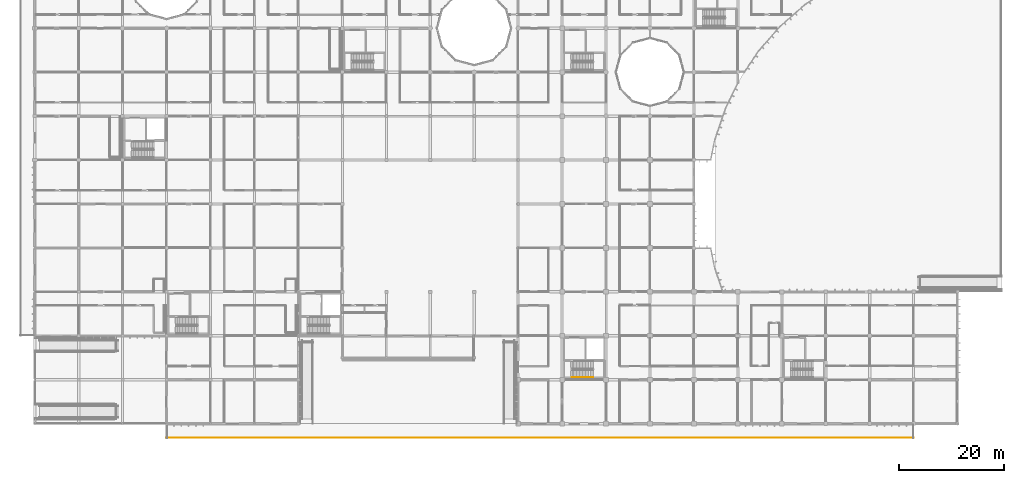
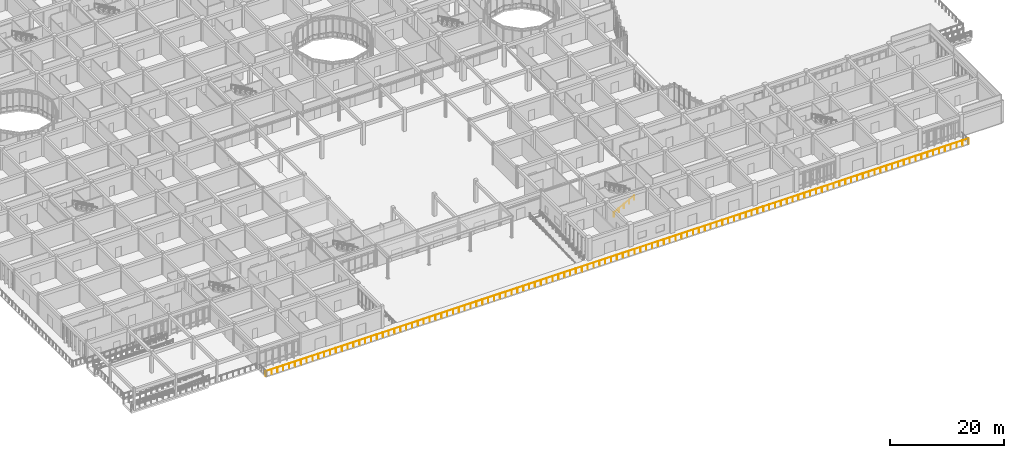
# One storey, part 120 of 138: 2 railings.
"""IFC4 building model written with IfcOpenShell, lengths in metres."""

from ifc_helpers import new_model, si_unit, direction, frame, origin, origin_2d, place, context, subcontext, project, spatial, circle, extrude, material, type_object, element, save


model = new_model("IFC4")

# Units and contexts
model_context = context("Model", 3, precision=1e-05, world=origin(), true_north=direction((0.0, 1.0)))
body_context = subcontext(model_context, "Body", "Model", "MODEL_VIEW")
ifc_project = project(units=[si_unit("LENGTHUNIT", "METRE"), si_unit("AREAUNIT", "SQUARE_METRE"), si_unit("VOLUMEUNIT", "CUBIC_METRE"), si_unit("PLANEANGLEUNIT", "RADIAN"), si_unit("MASSUNIT", "GRAM", prefix="KILO")], contexts=[model_context])

# Site, building, storey
site_placement = place(None, origin())
site = spatial("IfcSite", under=ifc_project, at=site_placement, CompositionType="ELEMENT")
building_placement = place(site_placement, origin())
building = spatial("IfcBuilding", under=site, at=building_placement, Name="Bramfleet General Hospital", CompositionType="ELEMENT")
storey_placement = place(building_placement, origin())
storey = spatial("IfcBuildingStorey", under=building, at=storey_placement, Name="L00", CompositionType="ELEMENT", Elevation=0.0)

# Railings
ifc_material_1 = material(Name="Stainless steel 1.4401 safety balustrade", Category="steel")
railing_type_1 = type_object("IfcRailingType", Name="RAIL-EXT-GUARD", PredefinedType="GUARDRAIL", material=ifc_material_1)
railing_1_placement = place(storey_placement, frame((168.0, -2.699951171875, 0.0)))
element("IfcRailing", 1, at=railing_1_placement, inside=storey, type_object=railing_type_1, Name="L00 Flood-Plinth Guard 220", PredefinedType="GUARDRAIL", context=body_context, shape_type="SweptSolid", body=[
    extrude(circle(Radius=0.02392578125, at=origin_2d()), frame((0.0, 0.0, 1.076171875), z_axis=(-1.0, 0.0, 0.0), x_axis=(0.0, -1.0, 0.0)), (0.0, 0.0, 1.0), 142.800048828125),
    extrude(circle(Radius=0.02099609375, at=origin_2d()), origin(), (0.0, 0.0, 1.0), 1.052001953125),
    extrude(circle(Radius=0.02099609375, at=origin_2d()), frame((-1.18994140625, 0.0, 0.0)), (0.0, 0.0, 1.0), 1.052001953125),
    extrude(circle(Radius=0.02099609375, at=origin_2d()), frame((-2.3798828125, 0.0, 0.0)), (0.0, 0.0, 1.0), 1.052001953125),
    extrude(circle(Radius=0.02099609375, at=origin_2d()), frame((-3.570068359375, 0.0, 0.0)), (0.0, 0.0, 1.0), 1.052001953125),
    extrude(circle(Radius=0.02099609375, at=origin_2d()), frame((-4.760009765625, 0.0, 0.0)), (0.0, 0.0, 1.0), 1.052001953125),
    extrude(circle(Radius=0.02099609375, at=origin_2d()), frame((-5.949951171875, 0.0, 0.0)), (0.0, 0.0, 1.0), 1.052001953125),
    extrude(circle(Radius=0.02099609375, at=origin_2d()), frame((-7.139892578125, 0.0, 0.0)), (0.0, 0.0, 1.0), 1.052001953125),
    extrude(circle(Radius=0.02099609375, at=origin_2d()), frame((-8.330078125, 0.0, 0.0)), (0.0, 0.0, 1.0), 1.052001953125),
    extrude(circle(Radius=0.02099609375, at=origin_2d()), frame((-9.52001953125, 0.0, 0.0)), (0.0, 0.0, 1.0), 1.052001953125),
    extrude(circle(Radius=0.02099609375, at=origin_2d()), frame((-10.7099609375, 0.0, 0.0)), (0.0, 0.0, 1.0), 1.052001953125),
    extrude(circle(Radius=0.02099609375, at=origin_2d()), frame((-11.89990234375, 0.0, 0.0)), (0.0, 0.0, 1.0), 1.052001953125),
    extrude(circle(Radius=0.02099609375, at=origin_2d()), frame((-13.090087890625, 0.0, 0.0)), (0.0, 0.0, 1.0), 1.052001953125),
    extrude(circle(Radius=0.02099609375, at=origin_2d()), frame((-14.280029296875, 0.0, 0.0)), (0.0, 0.0, 1.0), 1.052001953125),
    extrude(circle(Radius=0.02099609375, at=origin_2d()), frame((-15.469970703125, 0.0, 0.0)), (0.0, 0.0, 1.0), 1.052001953125),
    extrude(circle(Radius=0.02099609375, at=origin_2d()), frame((-16.659912109375, 0.0, 0.0)), (0.0, 0.0, 1.0), 1.052001953125),
    extrude(circle(Radius=0.02099609375, at=origin_2d()), frame((-17.85009765625, 0.0, 0.0)), (0.0, 0.0, 1.0), 1.052001953125),
    extrude(circle(Radius=0.02099609375, at=origin_2d()), frame((-19.0400390625, 0.0, 0.0)), (0.0, 0.0, 1.0), 1.052001953125),
    extrude(circle(Radius=0.02099609375, at=origin_2d()), frame((-20.22998046875, 0.0, 0.0)), (0.0, 0.0, 1.0), 1.052001953125),
    extrude(circle(Radius=0.02099609375, at=origin_2d()), frame((-21.419921875, 0.0, 0.0)), (0.0, 0.0, 1.0), 1.052001953125),
    extrude(circle(Radius=0.02099609375, at=origin_2d()), frame((-22.610107421875, 0.0, 0.0)), (0.0, 0.0, 1.0), 1.052001953125),
    extrude(circle(Radius=0.02099609375, at=origin_2d()), frame((-23.800048828125, 0.0, 0.0)), (0.0, 0.0, 1.0), 1.052001953125),
    extrude(circle(Radius=0.02099609375, at=origin_2d()), frame((-24.989990234375, 0.0, 0.0)), (0.0, 0.0, 1.0), 1.052001953125),
    extrude(circle(Radius=0.02099609375, at=origin_2d()), frame((-26.179931640625, 0.0, 0.0)), (0.0, 0.0, 1.0), 1.052001953125),
    extrude(circle(Radius=0.02099609375, at=origin_2d()), frame((-27.3701171875, 0.0, 0.0)), (0.0, 0.0, 1.0), 1.052001953125),
    extrude(circle(Radius=0.02099609375, at=origin_2d()), frame((-28.56005859375, 0.0, 0.0)), (0.0, 0.0, 1.0), 1.052001953125),
    extrude(circle(Radius=0.02099609375, at=origin_2d()), frame((-29.75, 0.0, 0.0)), (0.0, 0.0, 1.0), 1.052001953125),
    extrude(circle(Radius=0.02099609375, at=origin_2d()), frame((-30.93994140625, 0.0, 0.0)), (0.0, 0.0, 1.0), 1.052001953125),
    extrude(circle(Radius=0.02099609375, at=origin_2d()), frame((-32.130126953125, 0.0, 0.0)), (0.0, 0.0, 1.0), 1.052001953125),
    extrude(circle(Radius=0.02099609375, at=origin_2d()), frame((-33.320068359375, 0.0, 0.0)), (0.0, 0.0, 1.0), 1.052001953125),
    extrude(circle(Radius=0.02099609375, at=origin_2d()), frame((-34.510009765625, 0.0, 0.0)), (0.0, 0.0, 1.0), 1.052001953125),
    extrude(circle(Radius=0.02099609375, at=origin_2d()), frame((-35.699951171875, 0.0, 0.0)), (0.0, 0.0, 1.0), 1.052001953125),
    extrude(circle(Radius=0.02099609375, at=origin_2d()), frame((-36.889892578125, 0.0, 0.0)), (0.0, 0.0, 1.0), 1.052001953125),
    extrude(circle(Radius=0.02099609375, at=origin_2d()), frame((-38.080078125, 0.0, 0.0)), (0.0, 0.0, 1.0), 1.052001953125),
    extrude(circle(Radius=0.02099609375, at=origin_2d()), frame((-39.27001953125, 0.0, 0.0)), (0.0, 0.0, 1.0), 1.052001953125),
    extrude(circle(Radius=0.02099609375, at=origin_2d()), frame((-40.4599609375, 0.0, 0.0)), (0.0, 0.0, 1.0), 1.052001953125),
    extrude(circle(Radius=0.02099609375, at=origin_2d()), frame((-41.64990234375, 0.0, 0.0)), (0.0, 0.0, 1.0), 1.052001953125),
    extrude(circle(Radius=0.02099609375, at=origin_2d()), frame((-42.840087890625, 0.0, 0.0)), (0.0, 0.0, 1.0), 1.052001953125),
    extrude(circle(Radius=0.02099609375, at=origin_2d()), frame((-44.030029296875, 0.0, 0.0)), (0.0, 0.0, 1.0), 1.052001953125),
    extrude(circle(Radius=0.02099609375, at=origin_2d()), frame((-45.219970703125, 0.0, 0.0)), (0.0, 0.0, 1.0), 1.052001953125),
    extrude(circle(Radius=0.02099609375, at=origin_2d()), frame((-46.409912109375, 0.0, 0.0)), (0.0, 0.0, 1.0), 1.052001953125),
    extrude(circle(Radius=0.02099609375, at=origin_2d()), frame((-47.60009765625, 0.0, 0.0)), (0.0, 0.0, 1.0), 1.052001953125),
    extrude(circle(Radius=0.02099609375, at=origin_2d()), frame((-48.7900390625, 0.0, 0.0)), (0.0, 0.0, 1.0), 1.052001953125),
    extrude(circle(Radius=0.02099609375, at=origin_2d()), frame((-49.97998046875, 0.0, 0.0)), (0.0, 0.0, 1.0), 1.052001953125),
    extrude(circle(Radius=0.02099609375, at=origin_2d()), frame((-51.169921875, 0.0, 0.0)), (0.0, 0.0, 1.0), 1.052001953125),
    extrude(circle(Radius=0.02099609375, at=origin_2d()), frame((-52.360107421875, 0.0, 0.0)), (0.0, 0.0, 1.0), 1.052001953125),
    extrude(circle(Radius=0.02099609375, at=origin_2d()), frame((-53.550048828125, 0.0, 0.0)), (0.0, 0.0, 1.0), 1.052001953125),
    extrude(circle(Radius=0.02099609375, at=origin_2d()), frame((-54.739990234375, 0.0, 0.0)), (0.0, 0.0, 1.0), 1.052001953125),
    extrude(circle(Radius=0.02099609375, at=origin_2d()), frame((-55.929931640625, 0.0, 0.0)), (0.0, 0.0, 1.0), 1.052001953125),
    extrude(circle(Radius=0.02099609375, at=origin_2d()), frame((-57.1201171875, 0.0, 0.0)), (0.0, 0.0, 1.0), 1.052001953125),
    extrude(circle(Radius=0.02099609375, at=origin_2d()), frame((-58.31005859375, 0.0, 0.0)), (0.0, 0.0, 1.0), 1.052001953125),
    extrude(circle(Radius=0.02099609375, at=origin_2d()), frame((-59.5, 0.0, 0.0)), (0.0, 0.0, 1.0), 1.052001953125),
    extrude(circle(Radius=0.02099609375, at=origin_2d()), frame((-60.68994140625, 0.0, 0.0)), (0.0, 0.0, 1.0), 1.052001953125),
    extrude(circle(Radius=0.02099609375, at=origin_2d()), frame((-61.880126953125, 0.0, 0.0)), (0.0, 0.0, 1.0), 1.052001953125),
    extrude(circle(Radius=0.02099609375, at=origin_2d()), frame((-63.070068359375, 0.0, 0.0)), (0.0, 0.0, 1.0), 1.052001953125),
    extrude(circle(Radius=0.02099609375, at=origin_2d()), frame((-64.260009765625, 0.0, 0.0)), (0.0, 0.0, 1.0), 1.052001953125),
    extrude(circle(Radius=0.02099609375, at=origin_2d()), frame((-65.449951171875, 0.0, 0.0)), (0.0, 0.0, 1.0), 1.052001953125),
    extrude(circle(Radius=0.02099609375, at=origin_2d()), frame((-66.64013671875, 0.0, 0.0)), (0.0, 0.0, 1.0), 1.052001953125),
    extrude(circle(Radius=0.02099609375, at=origin_2d()), frame((-67.830078125, 0.0, 0.0)), (0.0, 0.0, 1.0), 1.052001953125),
    extrude(circle(Radius=0.02099609375, at=origin_2d()), frame((-69.02001953125, 0.0, 0.0)), (0.0, 0.0, 1.0), 1.052001953125),
    extrude(circle(Radius=0.02099609375, at=origin_2d()), frame((-70.2099609375, 0.0, 0.0)), (0.0, 0.0, 1.0), 1.052001953125),
    extrude(circle(Radius=0.02099609375, at=origin_2d()), frame((-71.39990234375, 0.0, 0.0)), (0.0, 0.0, 1.0), 1.052001953125),
    extrude(circle(Radius=0.02099609375, at=origin_2d()), frame((-72.590087890625, 0.0, 0.0)), (0.0, 0.0, 1.0), 1.052001953125),
    extrude(circle(Radius=0.02099609375, at=origin_2d()), frame((-73.780029296875, 0.0, 0.0)), (0.0, 0.0, 1.0), 1.052001953125),
    extrude(circle(Radius=0.02099609375, at=origin_2d()), frame((-74.969970703125, 0.0, 0.0)), (0.0, 0.0, 1.0), 1.052001953125),
    extrude(circle(Radius=0.02099609375, at=origin_2d()), frame((-76.159912109375, 0.0, 0.0)), (0.0, 0.0, 1.0), 1.052001953125),
    extrude(circle(Radius=0.02099609375, at=origin_2d()), frame((-77.35009765625, 0.0, 0.0)), (0.0, 0.0, 1.0), 1.052001953125),
    extrude(circle(Radius=0.02099609375, at=origin_2d()), frame((-78.5400390625, 0.0, 0.0)), (0.0, 0.0, 1.0), 1.052001953125),
    extrude(circle(Radius=0.02099609375, at=origin_2d()), frame((-79.72998046875, 0.0, 0.0)), (0.0, 0.0, 1.0), 1.052001953125),
    extrude(circle(Radius=0.02099609375, at=origin_2d()), frame((-80.919921875, 0.0, 0.0)), (0.0, 0.0, 1.0), 1.052001953125),
    extrude(circle(Radius=0.02099609375, at=origin_2d()), frame((-82.110107421875, 0.0, 0.0)), (0.0, 0.0, 1.0), 1.052001953125),
    extrude(circle(Radius=0.02099609375, at=origin_2d()), frame((-83.300048828125, 0.0, 0.0)), (0.0, 0.0, 1.0), 1.052001953125),
    extrude(circle(Radius=0.02099609375, at=origin_2d()), frame((-84.489990234375, 0.0, 0.0)), (0.0, 0.0, 1.0), 1.052001953125),
    extrude(circle(Radius=0.02099609375, at=origin_2d()), frame((-85.679931640625, 0.0, 0.0)), (0.0, 0.0, 1.0), 1.052001953125),
    extrude(circle(Radius=0.02099609375, at=origin_2d()), frame((-86.8701171875, 0.0, 0.0)), (0.0, 0.0, 1.0), 1.052001953125),
    extrude(circle(Radius=0.02099609375, at=origin_2d()), frame((-88.06005859375, 0.0, 0.0)), (0.0, 0.0, 1.0), 1.052001953125),
    extrude(circle(Radius=0.02099609375, at=origin_2d()), frame((-89.25, 0.0, 0.0)), (0.0, 0.0, 1.0), 1.052001953125),
    extrude(circle(Radius=0.02099609375, at=origin_2d()), frame((-90.43994140625, 0.0, 0.0)), (0.0, 0.0, 1.0), 1.052001953125),
    extrude(circle(Radius=0.02099609375, at=origin_2d()), frame((-91.630126953125, 0.0, 0.0)), (0.0, 0.0, 1.0), 1.052001953125),
    extrude(circle(Radius=0.02099609375, at=origin_2d()), frame((-92.820068359375, 0.0, 0.0)), (0.0, 0.0, 1.0), 1.052001953125),
    extrude(circle(Radius=0.02099609375, at=origin_2d()), frame((-94.010009765625, 0.0, 0.0)), (0.0, 0.0, 1.0), 1.052001953125),
    extrude(circle(Radius=0.02099609375, at=origin_2d()), frame((-95.199951171875, 0.0, 0.0)), (0.0, 0.0, 1.0), 1.052001953125),
    extrude(circle(Radius=0.02099609375, at=origin_2d()), frame((-96.39013671875, 0.0, 0.0)), (0.0, 0.0, 1.0), 1.052001953125),
    extrude(circle(Radius=0.02099609375, at=origin_2d()), frame((-97.580078125, 0.0, 0.0)), (0.0, 0.0, 1.0), 1.052001953125),
    extrude(circle(Radius=0.02099609375, at=origin_2d()), frame((-98.77001953125, 0.0, 0.0)), (0.0, 0.0, 1.0), 1.052001953125),
    extrude(circle(Radius=0.02099609375, at=origin_2d()), frame((-99.9599609375, 0.0, 0.0)), (0.0, 0.0, 1.0), 1.052001953125),
    extrude(circle(Radius=0.02099609375, at=origin_2d()), frame((-101.150146484375, 0.0, 0.0)), (0.0, 0.0, 1.0), 1.052001953125),
    extrude(circle(Radius=0.02099609375, at=origin_2d()), frame((-102.340087890625, 0.0, 0.0)), (0.0, 0.0, 1.0), 1.052001953125),
    extrude(circle(Radius=0.02099609375, at=origin_2d()), frame((-103.530029296875, 0.0, 0.0)), (0.0, 0.0, 1.0), 1.052001953125),
    extrude(circle(Radius=0.02099609375, at=origin_2d()), frame((-104.719970703125, 0.0, 0.0)), (0.0, 0.0, 1.0), 1.052001953125),
    extrude(circle(Radius=0.02099609375, at=origin_2d()), frame((-105.91015625, 0.0, 0.0)), (0.0, 0.0, 1.0), 1.052001953125),
    extrude(circle(Radius=0.02099609375, at=origin_2d()), frame((-107.10009765625, 0.0, 0.0)), (0.0, 0.0, 1.0), 1.052001953125),
    extrude(circle(Radius=0.02099609375, at=origin_2d()), frame((-108.2900390625, 0.0, 0.0)), (0.0, 0.0, 1.0), 1.052001953125),
    extrude(circle(Radius=0.02099609375, at=origin_2d()), frame((-109.47998046875, 0.0, 0.0)), (0.0, 0.0, 1.0), 1.052001953125),
    extrude(circle(Radius=0.02099609375, at=origin_2d()), frame((-110.669921875, 0.0, 0.0)), (0.0, 0.0, 1.0), 1.052001953125),
    extrude(circle(Radius=0.02099609375, at=origin_2d()), frame((-111.860107421875, 0.0, 0.0)), (0.0, 0.0, 1.0), 1.052001953125),
    extrude(circle(Radius=0.02099609375, at=origin_2d()), frame((-113.050048828125, 0.0, 0.0)), (0.0, 0.0, 1.0), 1.052001953125),
    extrude(circle(Radius=0.02099609375, at=origin_2d()), frame((-114.239990234375, 0.0, 0.0)), (0.0, 0.0, 1.0), 1.052001953125),
    extrude(circle(Radius=0.02099609375, at=origin_2d()), frame((-115.429931640625, 0.0, 0.0)), (0.0, 0.0, 1.0), 1.052001953125),
    extrude(circle(Radius=0.02099609375, at=origin_2d()), frame((-116.6201171875, 0.0, 0.0)), (0.0, 0.0, 1.0), 1.052001953125),
    extrude(circle(Radius=0.02099609375, at=origin_2d()), frame((-117.81005859375, 0.0, 0.0)), (0.0, 0.0, 1.0), 1.052001953125),
    extrude(circle(Radius=0.02099609375, at=origin_2d()), frame((-119.0, 0.0, 0.0)), (0.0, 0.0, 1.0), 1.052001953125),
    extrude(circle(Radius=0.02099609375, at=origin_2d()), frame((-120.18994140625, 0.0, 0.0)), (0.0, 0.0, 1.0), 1.052001953125),
    extrude(circle(Radius=0.02099609375, at=origin_2d()), frame((-121.380126953125, 0.0, 0.0)), (0.0, 0.0, 1.0), 1.052001953125),
    extrude(circle(Radius=0.02099609375, at=origin_2d()), frame((-122.570068359375, 0.0, 0.0)), (0.0, 0.0, 1.0), 1.052001953125),
    extrude(circle(Radius=0.02099609375, at=origin_2d()), frame((-123.760009765625, 0.0, 0.0)), (0.0, 0.0, 1.0), 1.052001953125),
    extrude(circle(Radius=0.02099609375, at=origin_2d()), frame((-124.949951171875, 0.0, 0.0)), (0.0, 0.0, 1.0), 1.052001953125),
    extrude(circle(Radius=0.02099609375, at=origin_2d()), frame((-126.14013671875, 0.0, 0.0)), (0.0, 0.0, 1.0), 1.052001953125),
    extrude(circle(Radius=0.02099609375, at=origin_2d()), frame((-127.330078125, 0.0, 0.0)), (0.0, 0.0, 1.0), 1.052001953125),
    extrude(circle(Radius=0.02099609375, at=origin_2d()), frame((-128.52001953125, 0.0, 0.0)), (0.0, 0.0, 1.0), 1.052001953125),
    extrude(circle(Radius=0.02099609375, at=origin_2d()), frame((-129.7099609375, 0.0, 0.0)), (0.0, 0.0, 1.0), 1.052001953125),
    extrude(circle(Radius=0.02099609375, at=origin_2d()), frame((-130.900146484375, 0.0, 0.0)), (0.0, 0.0, 1.0), 1.052001953125),
    extrude(circle(Radius=0.02099609375, at=origin_2d()), frame((-132.090087890625, 0.0, 0.0)), (0.0, 0.0, 1.0), 1.052001953125),
    extrude(circle(Radius=0.02099609375, at=origin_2d()), frame((-133.280029296875, 0.0, 0.0)), (0.0, 0.0, 1.0), 1.052001953125),
    extrude(circle(Radius=0.02099609375, at=origin_2d()), frame((-134.469970703125, 0.0, 0.0)), (0.0, 0.0, 1.0), 1.052001953125),
    extrude(circle(Radius=0.02099609375, at=origin_2d()), frame((-135.66015625, 0.0, 0.0)), (0.0, 0.0, 1.0), 1.052001953125),
    extrude(circle(Radius=0.02099609375, at=origin_2d()), frame((-136.85009765625, 0.0, 0.0)), (0.0, 0.0, 1.0), 1.052001953125),
    extrude(circle(Radius=0.02099609375, at=origin_2d()), frame((-138.0400390625, 0.0, 0.0)), (0.0, 0.0, 1.0), 1.052001953125),
    extrude(circle(Radius=0.02099609375, at=origin_2d()), frame((-139.22998046875, 0.0, 0.0)), (0.0, 0.0, 1.0), 1.052001953125),
    extrude(circle(Radius=0.02099609375, at=origin_2d()), frame((-140.420166015625, 0.0, 0.0)), (0.0, 0.0, 1.0), 1.052001953125),
    extrude(circle(Radius=0.02099609375, at=origin_2d()), frame((-141.610107421875, 0.0, 0.0)), (0.0, 0.0, 1.0), 1.052001953125),
    extrude(circle(Radius=0.02099609375, at=origin_2d()), frame((-142.800048828125, 0.0, 0.0)), (0.0, 0.0, 1.0), 1.052001953125),
])
ifc_material_2 = material(Name="Stainless steel 1.4301 stair handrail", Category="steel")
railing_type_2 = type_object("IfcRailingType", Name="RAIL-ST-HND", PredefinedType="HANDRAIL", material=ifc_material_2)
railing_2_placement = place(storey_placement, frame((102.639892578125, 8.8701171875, 0.159912109375)))
element("IfcRailing", 2, at=railing_2_placement, inside=storey, type_object=railing_type_2, Name="L00 ST-C3 stair handrail 1", PredefinedType="HANDRAIL", context=body_context, shape_type="SweptSolid", body=[
    extrude(circle(Radius=0.02392578125, at=origin_2d()), frame((0.0, 0.0, 0.8759765625), z_axis=(0.879038868435, 0.0, 0.476750110415), x_axis=(0.0, 1.0, 0.0)), (0.0, 0.0, 1.0), 4.698486328125),
    extrude(circle(Radius=0.02099609375, at=origin_2d()), origin(), (0.0, 0.0, 1.0), 0.851806640625),
    extrude(circle(Radius=0.02099609375, at=origin_2d()), frame((1.032470703125, 0.0, 0.56005859375)), (0.0, 0.0, 1.0), 0.851806640625),
    extrude(circle(Radius=0.02099609375, at=origin_2d()), frame((2.06494140625, 0.0, 1.1201171875)), (0.0, 0.0, 1.0), 0.851806640625),
    extrude(circle(Radius=0.02099609375, at=origin_2d()), frame((3.09765625, 0.0, 1.679931640625)), (0.0, 0.0, 1.0), 0.851806640625),
    extrude(circle(Radius=0.02099609375, at=origin_2d()), frame((4.130126953125, 0.0, 2.239990234375)), (0.0, 0.0, 1.0), 0.851806640625),
])

save(model, "model.ifc")
